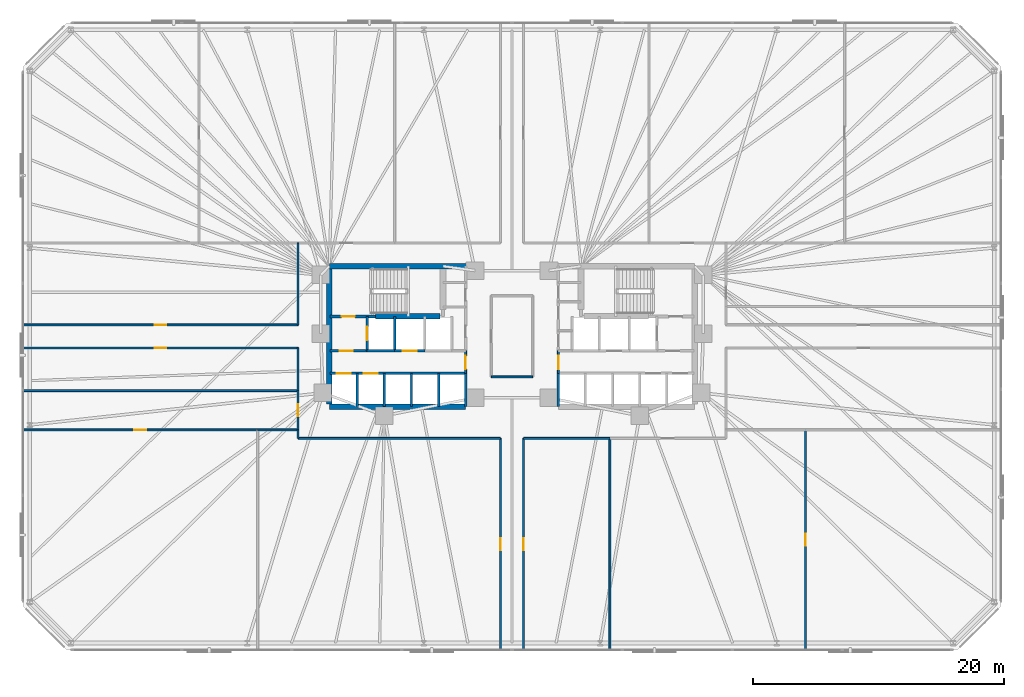
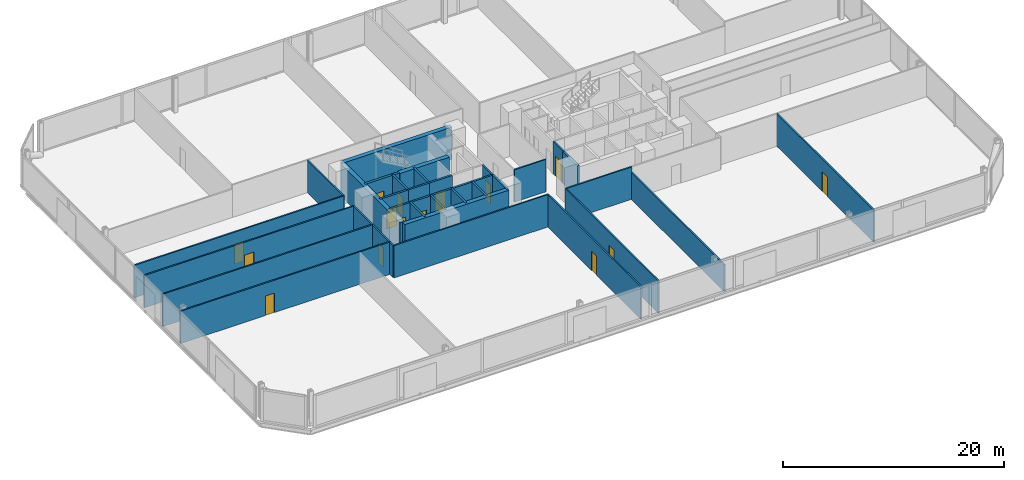
# One storey, part 12 of 17: 35 walls, 15 doors, 15 openings.
"""IFC4 building model written with IfcOpenShell, lengths in metres."""

from ifc_helpers import new_model, si_unit, direction, frame, frame_2d, origin, place, context, subcontext, project, spatial, rectangle, extrude, material, layer, layer_set, type_object, element, fill, save


model = new_model("IFC4")

# Units and contexts
model_context = context("Model", 3, precision=1e-05, world=origin(), true_north=direction((0.0, 1.0)))
body_context = subcontext(model_context, "Body", "Model", "MODEL_VIEW")
ifc_project = project(units=[si_unit("LENGTHUNIT", "METRE"), si_unit("AREAUNIT", "SQUARE_METRE"), si_unit("VOLUMEUNIT", "CUBIC_METRE"), si_unit("PLANEANGLEUNIT", "RADIAN"), si_unit("MASSUNIT", "GRAM", prefix="KILO")], contexts=[model_context])

# Site, building, storey
site_placement = place(None, origin())
site = spatial("IfcSite", under=ifc_project, at=site_placement, CompositionType="ELEMENT")
building_placement = place(site_placement, origin())
building = spatial("IfcBuilding", under=site, at=building_placement, Name="Menara Jurai Vektor", CompositionType="ELEMENT")
storey_placement = place(building_placement, frame((0.0, 0.0, 48.39990234375)))
storey = spatial("IfcBuildingStorey", under=building, at=storey_placement, Name="L11", CompositionType="ELEMENT", Elevation=48.39990234375)

# Wall, opening, door
ifc_material_1 = material(Name="Concrete C40/50", Category="concrete")
ifc_layer_1 = layer(ifc_material_1, 0.25)
ifc_layer_set_1 = layer_set([ifc_layer_1], Name="Concrete C40/50")
wall_type_1 = type_object("IfcWallType", Name="INT-WALL-CORE-250", PredefinedType="STANDARD", material=ifc_layer_set_1)
wall_1_placement = place(storey_placement, frame((-14.5, 1.60009765625, 0.0), z_axis=(0.0, 0.0, 1.0), x_axis=(1.0, 0.0, 0.0)))
wall_1 = element("IfcWall", 1, at=wall_1_placement, inside=storey, type_object=wall_type_1, Name="Interior Wall IW-250 L11", PredefinedType="STANDARD", context=body_context, shape_type="SweptSolid", body=[
    extrude(rectangle(XDim=3.60009765625, YDim=0.25, at=frame_2d((1.800048828125, 0.0))), origin(), (0.0, 0.0, 1.0), 3.5751953125),
])
opening_1_placement = place(wall_1_placement, frame((0.919921875, 0.0, 0.0)))
opening_1 = element("IfcOpeningElement", 2, at=opening_1_placement, cuts=wall_1, Name="Opening D-L11-ST1", PredefinedType="OPENING", context=body_context, shape_type="SweptSolid", body=[
    extrude(rectangle(XDim=1.050048828125, YDim=2.14990234375, at=frame_2d((0.52490234375, 1.074951171875))), frame((0.0, 0.135009765625, 0.0), z_axis=(0.0, -1.0, 0.0), x_axis=(1.0, 0.0, 0.0)), (0.0, 0.0, 1.0), 0.27001953125),
])
ifc_material_2 = material(Name="Fire-Rated Steel Door", Category="steel")
door_type_1 = type_object("IfcDoorType", Name="DR-STAIR-1050", OperationType="NOTDEFINED", PredefinedType="DOOR", material=ifc_material_2)
door_1_placement = place(opening_1_placement, origin())
door_1 = element("IfcDoor", 3, at=door_1_placement, inside=storey, type_object=door_type_1, Name="Exit Stair ST1 Door L11", OperationType="SINGLE_SWING_RIGHT", OverallHeight=2.14990234375, OverallWidth=1.050048828125, PredefinedType="DOOR", context=body_context, shape_type="SweptSolid", body=[
    extrude(rectangle(XDim=1.050048828125, YDim=2.14990234375, at=frame_2d((0.52490234375, 1.074951171875))), frame((0.0, 0.02490234375, 0.0), z_axis=(0.0, -1.0, 0.0), x_axis=(1.0, 0.0, 0.0)), (0.0, 0.0, 1.0), 0.050048828125),
])
fill(opening_1, door_1)

wall_2_placement = place(storey_placement, frame((-11.550048828125, -1.14990234375, 0.0), z_axis=(0.0, 0.0, 1.0), x_axis=(0.0, 1.0, 0.0)))
wall_2 = element("IfcWall", 4, at=wall_2_placement, inside=storey, type_object=wall_type_1, Name="Interior Wall IW-250 L11", PredefinedType="STANDARD", context=body_context, shape_type="SweptSolid", body=[
    extrude(rectangle(XDim=2.75, YDim=0.199951171875, at=frame_2d((1.375, 0.0))), origin(), (0.0, 0.0, 1.0), 3.5751953125),
])
opening_2_placement = place(wall_2_placement, frame((0.824951171875, 0.0, 0.0)))
opening_2 = element("IfcOpeningElement", 5, at=opening_2_placement, cuts=wall_2, Name="Opening LD-L11-FL1", PredefinedType="OPENING", context=body_context, shape_type="SweptSolid", body=[
    extrude(rectangle(XDim=1.10009765625, YDim=2.14990234375, at=frame_2d((0.550048828125, 1.074951171875))), frame((0.0, 0.10986328125, 0.0), z_axis=(0.0, -1.0, 0.0), x_axis=(1.0, 0.0, 0.0)), (0.0, 0.0, 1.0), 0.219970703125),
])
ifc_material_3 = material(Name="Stainless Steel Sliding Lift Landing Door", Category="steel")
door_type_2 = type_object("IfcDoorType", Name="DR-LIFT-FIRE-1100", OperationType="NOTDEFINED", PredefinedType="DOOR", material=ifc_material_3)
door_2_placement = place(opening_2_placement, origin())
door_2 = element("IfcDoor", 6, at=door_2_placement, inside=storey, type_object=door_type_2, Name="Lift Landing Door FL1 L11", OperationType="SLIDING_TO_RIGHT", OverallHeight=2.14990234375, OverallWidth=1.10009765625, PredefinedType="DOOR", context=body_context, shape_type="SweptSolid", body=[
    extrude(rectangle(XDim=1.10009765625, YDim=2.14990234375, at=frame_2d((0.550048828125, 1.074951171875))), frame((0.0, 0.02490234375, 0.0), z_axis=(0.0, -1.0, 0.0), x_axis=(1.0, 0.0, 0.0)), (0.0, 0.0, 1.0), 0.050048828125),
])
fill(opening_2, door_2)

# Wall
wall_3_placement = place(storey_placement, frame((-9.35009765625, -1.14990234375, 0.0), z_axis=(0.0, 0.0, 1.0), x_axis=(0.0, 1.0, 0.0)))
element("IfcWall", 7, at=wall_3_placement, inside=storey, type_object=wall_type_1, Name="Interior Wall IW-250 L11", PredefinedType="STANDARD", context=body_context, shape_type="SweptSolid", body=[
    extrude(rectangle(XDim=2.75, YDim=0.199951171875, at=frame_2d((1.375, 0.0))), origin(), (0.0, 0.0, 1.0), 3.5751953125),
])

# Wall, opening, door
wall_4_placement = place(storey_placement, frame((-14.5, -1.14990234375, 0.0), z_axis=(0.0, 0.0, 1.0), x_axis=(1.0, 0.0, 0.0)))
wall_4 = element("IfcWall", 8, at=wall_4_placement, inside=storey, type_object=wall_type_1, Name="Interior Wall IW-250 L11", PredefinedType="STANDARD", context=body_context, shape_type="SweptSolid", body=[
    extrude(rectangle(XDim=2.949951171875, YDim=0.199951171875, at=frame_2d((1.47509765625, 0.0))), origin(), (0.0, 0.0, 1.0), 3.5751953125),
])
opening_3_placement = place(wall_4_placement, frame((0.75, 0.0, 0.0)))
opening_3 = element("IfcOpeningElement", 9, at=opening_3_placement, cuts=wall_4, Name="Opening D-L11-FFW", PredefinedType="OPENING", context=body_context, shape_type="SweptSolid", body=[
    extrude(rectangle(XDim=1.050048828125, YDim=2.179931640625, at=frame_2d((0.52490234375, 1.08984375))), frame((0.0, 0.10986328125, 0.0), z_axis=(0.0, -1.0, 0.0), x_axis=(1.0, 0.0, 0.0)), (0.0, 0.0, 1.0), 0.219970703125),
])
ifc_material_4 = material(Name="Fire-Rated Timber Door", Category="wood")
door_type_3 = type_object("IfcDoorType", Name="DR-LOBBY-1050", OperationType="NOTDEFINED", PredefinedType="DOOR", material=ifc_material_4)
door_3_placement = place(opening_3_placement, origin())
door_3 = element("IfcDoor", 10, at=door_3_placement, inside=storey, type_object=door_type_3, Name="Fire Lift Lobby Door W L11", OperationType="SINGLE_SWING_RIGHT", OverallHeight=2.179931640625, OverallWidth=1.050048828125, PredefinedType="DOOR", context=body_context, shape_type="SweptSolid", body=[
    extrude(rectangle(XDim=1.050048828125, YDim=2.179931640625, at=frame_2d((0.52490234375, 1.08984375))), frame((0.0, 0.02490234375, 0.0), z_axis=(0.0, -1.0, 0.0), x_axis=(1.0, 0.0, 0.0)), (0.0, 0.0, 1.0), 0.050048828125),
])
fill(opening_3, door_3)

# Wall
wall_5_placement = place(storey_placement, frame((-11.550048828125, -1.14990234375, 0.0), z_axis=(0.0, 0.0, 1.0), x_axis=(1.0, 0.0, 0.0)))
element("IfcWall", 11, at=wall_5_placement, inside=storey, type_object=wall_type_1, Name="Interior Wall IW-250 L11", PredefinedType="STANDARD", context=body_context, shape_type="SweptSolid", body=[
    extrude(rectangle(XDim=2.199951171875, YDim=0.199951171875, at=frame_2d((1.10009765625, 0.0))), origin(), (0.0, 0.0, 1.0), 3.5751953125),
])

# Wall, opening, door
ifc_material_5 = material(Name="Gypsum Fireboard Partition", Category="gypsum")
ifc_layer_2 = layer(ifc_material_5, 0.14990234375)
ifc_layer_set_2 = layer_set([ifc_layer_2], Name="Gypsum Fireboard Partition")
wall_type_2 = type_object("IfcWallType", Name="INT-WALL-CORR-150", PredefinedType="PARTITIONING", material=ifc_layer_set_2)
wall_6_placement = place(storey_placement, frame((-3.699951171875, -2.949951171875, 0.0), z_axis=(0.0, 0.0, 1.0), x_axis=(0.0, 1.0, 0.0)))
wall_6 = element("IfcWall", 12, at=wall_6_placement, inside=storey, type_object=wall_type_2, Name="Interior Wall IW-150 L11", PredefinedType="PARTITIONING", context=body_context, shape_type="SweptSolid", body=[
    extrude(rectangle(XDim=1.800048828125, YDim=0.14990234375, at=frame_2d((0.89990234375, 0.0))), origin(), (0.0, 0.0, 1.0), 3.5751953125),
])
opening_4_placement = place(wall_6_placement, frame((0.35009765625, 0.0, 0.0)))
opening_4 = element("IfcOpeningElement", 13, at=opening_4_placement, cuts=wall_6, Name="Opening D-L11-LLW", PredefinedType="OPENING", context=body_context, shape_type="SweptSolid", body=[
    extrude(rectangle(XDim=1.050048828125, YDim=2.179931640625, at=frame_2d((0.52490234375, 1.08984375))), frame((0.0, 0.0849609375, 0.0), z_axis=(0.0, -1.0, 0.0), x_axis=(1.0, 0.0, 0.0)), (0.0, 0.0, 1.0), 0.169921875),
])
door_4_placement = place(opening_4_placement, origin())
door_4 = element("IfcDoor", 14, at=door_4_placement, inside=storey, type_object=door_type_3, Name="Lift Lobby Corridor Door W L11", OperationType="SINGLE_SWING_LEFT", OverallHeight=2.179931640625, OverallWidth=1.050048828125, PredefinedType="DOOR", context=body_context, shape_type="SweptSolid", body=[
    extrude(rectangle(XDim=1.050048828125, YDim=2.179931640625, at=frame_2d((0.52490234375, 1.08984375))), frame((0.0, 0.02490234375, 0.0), z_axis=(0.0, -1.0, 0.0), x_axis=(1.0, 0.0, 0.0)), (0.0, 0.0, 1.0), 0.050048828125),
])
fill(opening_4, door_4)

wall_7_placement = place(storey_placement, frame((3.699951171875, -2.949951171875, 0.0), z_axis=(0.0, 0.0, 1.0), x_axis=(0.0, 1.0, 0.0)))
wall_7 = element("IfcWall", 15, at=wall_7_placement, inside=storey, type_object=wall_type_2, Name="Interior Wall IW-150 L11", PredefinedType="PARTITIONING", context=body_context, shape_type="SweptSolid", body=[
    extrude(rectangle(XDim=1.800048828125, YDim=0.14990234375, at=frame_2d((0.89990234375, 0.0))), origin(), (0.0, 0.0, 1.0), 3.5751953125),
])
opening_5_placement = place(wall_7_placement, frame((0.35009765625, 0.0, 0.0)))
opening_5 = element("IfcOpeningElement", 16, at=opening_5_placement, cuts=wall_7, Name="Opening D-L11-LLE", PredefinedType="OPENING", context=body_context, shape_type="SweptSolid", body=[
    extrude(rectangle(XDim=1.050048828125, YDim=2.179931640625, at=frame_2d((0.52490234375, 1.08984375))), frame((0.0, 0.0849609375, 0.0), z_axis=(0.0, -1.0, 0.0), x_axis=(1.0, 0.0, 0.0)), (0.0, 0.0, 1.0), 0.169921875),
])
door_5_placement = place(opening_5_placement, frame((1.050048828125, 0.0, 0.0), z_axis=(0.0, 0.0, 1.0), x_axis=(-1.0, 0.0, 0.0)))
door_5 = element("IfcDoor", 17, at=door_5_placement, inside=storey, type_object=door_type_3, Name="Lift Lobby Corridor Door E L11", OperationType="SINGLE_SWING_RIGHT", OverallHeight=2.179931640625, OverallWidth=1.050048828125, PredefinedType="DOOR", context=body_context, shape_type="SweptSolid", body=[
    extrude(rectangle(XDim=1.050048828125, YDim=2.179931640625, at=frame_2d((0.52490234375, 1.08984375))), frame((0.0, 0.02490234375, 0.0), z_axis=(0.0, -1.0, 0.0), x_axis=(1.0, 0.0, 0.0)), (0.0, 0.0, 1.0), 0.050048828125),
])
fill(opening_5, door_5)

# Walls
wall_8_placement = place(storey_placement, frame((-1.64990234375, -3.22998046875, 0.0), z_axis=(0.0, 0.0, 1.0), x_axis=(1.0, 0.0, 0.0)))
element("IfcWall", 18, at=wall_8_placement, inside=storey, type_object=wall_type_2, Name="Interior Wall IW-150 L11", PredefinedType="PARTITIONING", context=body_context, shape_type="SweptSolid", body=[
    extrude(rectangle(XDim=3.2998046875, YDim=0.14990234375, at=frame_2d((1.64990234375, 0.0))), origin(), (0.0, 0.0, 1.0), 3.5751953125),
])
wall_9_placement = place(storey_placement, frame((-17.05908203125, -8.1298828125, 0.0), z_axis=(0.0, 0.0, 1.0), x_axis=(0.0, 1.0, 0.0)))
element("IfcWall", 19, at=wall_9_placement, inside=storey, type_object=wall_type_2, Name="Interior Wall IW-150 L11", PredefinedType="PARTITIONING", context=body_context, shape_type="SweptSolid", body=[
    extrude(rectangle(XDim=0.679931640625, YDim=0.14990234375, at=frame_2d((0.33984375, 0.0))), origin(), (0.0, 0.0, 1.0), 3.5751953125),
])
wall_10_placement = place(storey_placement, frame((-17.05908203125, -8.1298828125, 0.0), z_axis=(0.0, 0.0, 1.0), x_axis=(1.0, 0.0, 0.0)))
element("IfcWall", 20, at=wall_10_placement, inside=storey, type_object=wall_type_2, Name="Interior Wall IW-150 L11", PredefinedType="PARTITIONING", context=body_context, shape_type="SweptSolid", body=[
    extrude(rectangle(XDim=16.13916015625, YDim=0.14990234375, at=frame_2d((8.069580078125, 0.0))), origin(), (0.0, 0.0, 1.0), 3.5751953125),
])

# Wall, opening, door
wall_11_placement = place(storey_placement, frame((-0.919921875, -25.0, 0.0), z_axis=(0.0, 0.0, 1.0), x_axis=(0.0, 1.0, 0.0)))
wall_11 = element("IfcWall", 21, at=wall_11_placement, inside=storey, type_object=wall_type_2, Name="Interior Wall IW-150 L11", PredefinedType="PARTITIONING", context=body_context, shape_type="SweptSolid", body=[
    extrude(rectangle(XDim=16.8701171875, YDim=0.14990234375, at=frame_2d((8.43505859375, 0.0))), origin(), (0.0, 0.0, 1.0), 3.5751953125),
])
opening_6_placement = place(wall_11_placement, frame((7.9599609375, 0.0, 0.0)))
opening_6 = element("IfcOpeningElement", 22, at=opening_6_placement, cuts=wall_11, Name="Opening D11-11", PredefinedType="OPENING", context=body_context, shape_type="SweptSolid", body=[
    extrude(rectangle(XDim=0.949951171875, YDim=2.14990234375, at=frame_2d((0.47509765625, 1.074951171875))), frame((0.0, 0.0849609375, 0.0), z_axis=(0.0, -1.0, 0.0), x_axis=(1.0, 0.0, 0.0)), (0.0, 0.0, 1.0), 0.169921875),
])
ifc_material_6 = material(Name="Solid Core Timber Fire Door", Category="wood")
door_type_4 = type_object("IfcDoorType", Name="DR-ENTRY-950", OperationType="NOTDEFINED", PredefinedType="DOOR", material=ifc_material_6)
door_6_placement = place(opening_6_placement, origin())
door_6 = element("IfcDoor", 23, at=door_6_placement, inside=storey, type_object=door_type_4, Name="Interior Door D11-11", OperationType="SINGLE_SWING_RIGHT", OverallHeight=2.14990234375, OverallWidth=0.949951171875, PredefinedType="DOOR", context=body_context, shape_type="SweptSolid", body=[
    extrude(rectangle(XDim=0.949951171875, YDim=2.14990234375, at=frame_2d((0.47509765625, 1.074951171875))), frame((0.0, 0.02490234375, 0.0), z_axis=(0.0, -1.0, 0.0), x_axis=(1.0, 0.0, 0.0)), (0.0, 0.0, 1.0), 0.050048828125),
])
fill(opening_6, door_6)

wall_12_placement = place(storey_placement, frame((0.919921875, -25.0, 0.0), z_axis=(0.0, 0.0, 1.0), x_axis=(0.0, 1.0, 0.0)))
wall_12 = element("IfcWall", 24, at=wall_12_placement, inside=storey, type_object=wall_type_2, Name="Interior Wall IW-150 L11", PredefinedType="PARTITIONING", context=body_context, shape_type="SweptSolid", body=[
    extrude(rectangle(XDim=16.8701171875, YDim=0.14990234375, at=frame_2d((8.43505859375, 0.0))), origin(), (0.0, 0.0, 1.0), 3.5751953125),
])
opening_7_placement = place(wall_12_placement, frame((7.9599609375, 0.0, 0.0)))
opening_7 = element("IfcOpeningElement", 25, at=opening_7_placement, cuts=wall_12, Name="Opening D11-12", PredefinedType="OPENING", context=body_context, shape_type="SweptSolid", body=[
    extrude(rectangle(XDim=0.949951171875, YDim=2.14990234375, at=frame_2d((0.47509765625, 1.074951171875))), frame((0.0, 0.0849609375, 0.0), z_axis=(0.0, -1.0, 0.0), x_axis=(1.0, 0.0, 0.0)), (0.0, 0.0, 1.0), 0.169921875),
])
door_7_placement = place(opening_7_placement, origin())
door_7 = element("IfcDoor", 26, at=door_7_placement, inside=storey, type_object=door_type_4, Name="Interior Door D11-12", OperationType="SINGLE_SWING_LEFT", OverallHeight=2.14990234375, OverallWidth=0.949951171875, PredefinedType="DOOR", context=body_context, shape_type="SweptSolid", body=[
    extrude(rectangle(XDim=0.949951171875, YDim=2.14990234375, at=frame_2d((0.47509765625, 1.074951171875))), frame((0.0, 0.02490234375, 0.0), z_axis=(0.0, -1.0, 0.0), x_axis=(1.0, 0.0, 0.0)), (0.0, 0.0, 1.0), 0.050048828125),
])
fill(opening_7, door_7)

# Wall
wall_13_placement = place(storey_placement, frame((0.919921875, -8.1298828125, 0.0), z_axis=(0.0, 0.0, 1.0), x_axis=(1.0, 0.0, 0.0)))
element("IfcWall", 27, at=wall_13_placement, inside=storey, type_object=wall_type_2, Name="Interior Wall IW-150 L11", PredefinedType="PARTITIONING", context=body_context, shape_type="SweptSolid", body=[
    extrude(rectangle(XDim=6.880126953125, YDim=0.14990234375, at=frame_2d((3.43994140625, 0.0))), origin(), (0.0, 0.0, 1.0), 3.5751953125),
])

# Wall, opening, door
wall_14_placement = place(storey_placement, frame((-17.05908203125, -7.449951171875, 0.0), z_axis=(0.0, 0.0, 1.0), x_axis=(0.0, 1.0, 0.0)))
wall_14 = element("IfcWall", 28, at=wall_14_placement, inside=storey, type_object=wall_type_2, Name="Interior Wall IW-150 L11", PredefinedType="PARTITIONING", context=body_context, shape_type="SweptSolid", body=[
    extrude(rectangle(XDim=3.12890625, YDim=0.14990234375, at=frame_2d((1.564453125, 0.0))), origin(), (0.0, 0.0, 1.0), 3.5751953125),
])
opening_8_placement = place(wall_14_placement, frame((1.089599609375, 0.0, 0.0)))
opening_8 = element("IfcOpeningElement", 29, at=opening_8_placement, cuts=wall_14, Name="Opening D11-14", PredefinedType="OPENING", context=body_context, shape_type="SweptSolid", body=[
    extrude(rectangle(XDim=0.949951171875, YDim=2.14990234375, at=frame_2d((0.47509765625, 1.074951171875))), frame((0.0, 0.0849609375, 0.0), z_axis=(0.0, -1.0, 0.0), x_axis=(1.0, 0.0, 0.0)), (0.0, 0.0, 1.0), 0.169921875),
])
door_8_placement = place(opening_8_placement, origin())
door_8 = element("IfcDoor", 30, at=door_8_placement, inside=storey, type_object=door_type_4, Name="Interior Door D11-14", OperationType="SINGLE_SWING_LEFT", OverallHeight=2.14990234375, OverallWidth=0.949951171875, PredefinedType="DOOR", context=body_context, shape_type="SweptSolid", body=[
    extrude(rectangle(XDim=0.949951171875, YDim=2.14990234375, at=frame_2d((0.47509765625, 1.074951171875))), frame((0.0, 0.02490234375, 0.0), z_axis=(0.0, -1.0, 0.0), x_axis=(1.0, 0.0, 0.0)), (0.0, 0.0, 1.0), 0.050048828125),
])
fill(opening_8, door_8)

wall_15_placement = place(storey_placement, frame((-39.0, -0.919921875, 0.0), z_axis=(0.0, 0.0, 1.0), x_axis=(1.0, 0.0, 0.0)))
wall_15 = element("IfcWall", 31, at=wall_15_placement, inside=storey, type_object=wall_type_2, Name="Interior Wall IW-150 L11", PredefinedType="PARTITIONING", context=body_context, shape_type="SweptSolid", body=[
    extrude(rectangle(XDim=21.94091796875, YDim=0.14990234375, at=frame_2d((10.970458984375, 0.0))), origin(), (0.0, 0.0, 1.0), 3.5751953125),
])
opening_9_placement = place(wall_15_placement, frame((10.49560546875, 0.0, 0.0)))
opening_9 = element("IfcOpeningElement", 32, at=opening_9_placement, cuts=wall_15, Name="Opening D11-15", PredefinedType="OPENING", context=body_context, shape_type="SweptSolid", body=[
    extrude(rectangle(XDim=0.949951171875, YDim=2.14990234375, at=frame_2d((0.47509765625, 1.074951171875))), frame((0.0, 0.0849609375, 0.0), z_axis=(0.0, -1.0, 0.0), x_axis=(1.0, 0.0, 0.0)), (0.0, 0.0, 1.0), 0.169921875),
])
door_9_placement = place(opening_9_placement, origin())
door_9 = element("IfcDoor", 33, at=door_9_placement, inside=storey, type_object=door_type_4, Name="Interior Door D11-15", OperationType="SINGLE_SWING_RIGHT", OverallHeight=2.14990234375, OverallWidth=0.949951171875, PredefinedType="DOOR", context=body_context, shape_type="SweptSolid", body=[
    extrude(rectangle(XDim=0.949951171875, YDim=2.14990234375, at=frame_2d((0.47509765625, 1.074951171875))), frame((0.0, 0.02490234375, 0.0), z_axis=(0.0, -1.0, 0.0), x_axis=(1.0, 0.0, 0.0)), (0.0, 0.0, 1.0), 0.050048828125),
])
fill(opening_9, door_9)

# Wall
wall_16_placement = place(storey_placement, frame((-17.05908203125, -4.321044921875, 0.0), z_axis=(0.0, 0.0, 1.0), x_axis=(0.0, 1.0, 0.0)))
element("IfcWall", 34, at=wall_16_placement, inside=storey, type_object=wall_type_2, Name="Interior Wall IW-150 L11", PredefinedType="PARTITIONING", context=body_context, shape_type="SweptSolid", body=[
    extrude(rectangle(XDim=3.401123046875, YDim=0.14990234375, at=frame_2d((1.70068359375, 0.0))), origin(), (0.0, 0.0, 1.0), 3.5751953125),
])

# Wall, opening, door
wall_17_placement = place(storey_placement, frame((-39.0, 0.919921875, 0.0), z_axis=(0.0, 0.0, 1.0), x_axis=(1.0, 0.0, 0.0)))
wall_17 = element("IfcWall", 35, at=wall_17_placement, inside=storey, type_object=wall_type_2, Name="Interior Wall IW-150 L11", PredefinedType="PARTITIONING", context=body_context, shape_type="SweptSolid", body=[
    extrude(rectangle(XDim=21.94091796875, YDim=0.14990234375, at=frame_2d((10.970458984375, 0.0))), origin(), (0.0, 0.0, 1.0), 3.5751953125),
])
opening_10_placement = place(wall_17_placement, frame((10.49560546875, 0.0, 0.0)))
opening_10 = element("IfcOpeningElement", 36, at=opening_10_placement, cuts=wall_17, Name="Opening D11-16", PredefinedType="OPENING", context=body_context, shape_type="SweptSolid", body=[
    extrude(rectangle(XDim=0.949951171875, YDim=2.14990234375, at=frame_2d((0.47509765625, 1.074951171875))), frame((0.0, 0.0849609375, 0.0), z_axis=(0.0, -1.0, 0.0), x_axis=(1.0, 0.0, 0.0)), (0.0, 0.0, 1.0), 0.169921875),
])
door_10_placement = place(opening_10_placement, origin())
door_10 = element("IfcDoor", 37, at=door_10_placement, inside=storey, type_object=door_type_4, Name="Interior Door D11-16", OperationType="SINGLE_SWING_LEFT", OverallHeight=2.14990234375, OverallWidth=0.949951171875, PredefinedType="DOOR", context=body_context, shape_type="SweptSolid", body=[
    extrude(rectangle(XDim=0.949951171875, YDim=2.14990234375, at=frame_2d((0.47509765625, 1.074951171875))), frame((0.0, 0.02490234375, 0.0), z_axis=(0.0, -1.0, 0.0), x_axis=(1.0, 0.0, 0.0)), (0.0, 0.0, 1.0), 0.050048828125),
])
fill(opening_10, door_10)

# Wall
wall_18_placement = place(storey_placement, frame((-17.05908203125, 0.919921875, 0.0), z_axis=(0.0, 0.0, 1.0), x_axis=(0.0, 1.0, 0.0)))
element("IfcWall", 38, at=wall_18_placement, inside=storey, type_object=wall_type_2, Name="Interior Wall IW-150 L11", PredefinedType="PARTITIONING", context=body_context, shape_type="SweptSolid", body=[
    extrude(rectangle(XDim=6.530029296875, YDim=0.14990234375, at=frame_2d((3.26513671875, 0.0))), origin(), (0.0, 0.0, 1.0), 3.5751953125),
])

# Wall, opening, door
wall_19_placement = place(storey_placement, frame((-39.0, -7.449951171875, 0.0), z_axis=(0.0, 0.0, 1.0), x_axis=(1.0, 0.0, 0.0)))
wall_19 = element("IfcWall", 39, at=wall_19_placement, inside=storey, type_object=wall_type_2, Name="Interior Wall IW-150 L11", PredefinedType="PARTITIONING", context=body_context, shape_type="SweptSolid", body=[
    extrude(rectangle(XDim=18.719970703125, YDim=0.14990234375, at=frame_2d((9.35986328125, 0.0))), origin(), (0.0, 0.0, 1.0), 3.5751953125),
])
opening_11_placement = place(wall_19_placement, frame((8.885009765625, 0.0, 0.0)))
opening_11 = element("IfcOpeningElement", 40, at=opening_11_placement, cuts=wall_19, Name="Opening D11-22", PredefinedType="OPENING", context=body_context, shape_type="SweptSolid", body=[
    extrude(rectangle(XDim=0.949951171875, YDim=2.14990234375, at=frame_2d((0.47509765625, 1.074951171875))), frame((0.0, 0.0849609375, 0.0), z_axis=(0.0, -1.0, 0.0), x_axis=(1.0, 0.0, 0.0)), (0.0, 0.0, 1.0), 0.169921875),
])
door_11_placement = place(opening_11_placement, origin())
door_11 = element("IfcDoor", 41, at=door_11_placement, inside=storey, type_object=door_type_4, Name="Interior Door D11-22", OperationType="SINGLE_SWING_LEFT", OverallHeight=2.14990234375, OverallWidth=0.949951171875, PredefinedType="DOOR", context=body_context, shape_type="SweptSolid", body=[
    extrude(rectangle(XDim=0.949951171875, YDim=2.14990234375, at=frame_2d((0.47509765625, 1.074951171875))), frame((0.0, 0.02490234375, 0.0), z_axis=(0.0, -1.0, 0.0), x_axis=(1.0, 0.0, 0.0)), (0.0, 0.0, 1.0), 0.050048828125),
])
fill(opening_11, door_11)

# Wall
wall_20_placement = place(storey_placement, frame((-20.280029296875, -7.449951171875, 0.0), z_axis=(0.0, 0.0, 1.0), x_axis=(1.0, 0.0, 0.0)))
element("IfcWall", 42, at=wall_20_placement, inside=storey, type_object=wall_type_2, Name="Interior Wall IW-150 L11", PredefinedType="PARTITIONING", context=body_context, shape_type="SweptSolid", body=[
    extrude(rectangle(XDim=3.220947265625, YDim=0.14990234375, at=frame_2d((1.6103515625, 0.0))), origin(), (0.0, 0.0, 1.0), 3.5751953125),
])

# Wall, opening, door
wall_21_placement = place(storey_placement, frame((23.39990234375, -25.0, 0.0), z_axis=(0.0, 0.0, 1.0), x_axis=(0.0, 1.0, 0.0)))
wall_21 = element("IfcWall", 43, at=wall_21_placement, inside=storey, type_object=wall_type_2, Name="Interior Wall IW-150 L11", PredefinedType="PARTITIONING", context=body_context, shape_type="SweptSolid", body=[
    extrude(rectangle(XDim=17.550048828125, YDim=0.14990234375, at=frame_2d((8.77490234375, 0.0))), origin(), (0.0, 0.0, 1.0), 3.5751953125),
])
opening_12_placement = place(wall_21_placement, frame((8.300048828125, 0.0, 0.0)))
opening_12 = element("IfcOpeningElement", 44, at=opening_12_placement, cuts=wall_21, Name="Opening D11-23", PredefinedType="OPENING", context=body_context, shape_type="SweptSolid", body=[
    extrude(rectangle(XDim=0.949951171875, YDim=2.14990234375, at=frame_2d((0.47509765625, 1.074951171875))), frame((0.0, 0.0849609375, 0.0), z_axis=(0.0, -1.0, 0.0), x_axis=(1.0, 0.0, 0.0)), (0.0, 0.0, 1.0), 0.169921875),
])
door_12_placement = place(opening_12_placement, origin())
door_12 = element("IfcDoor", 45, at=door_12_placement, inside=storey, type_object=door_type_4, Name="Interior Door D11-23", OperationType="SINGLE_SWING_RIGHT", OverallHeight=2.14990234375, OverallWidth=0.949951171875, PredefinedType="DOOR", context=body_context, shape_type="SweptSolid", body=[
    extrude(rectangle(XDim=0.949951171875, YDim=2.14990234375, at=frame_2d((0.47509765625, 1.074951171875))), frame((0.0, 0.02490234375, 0.0), z_axis=(0.0, -1.0, 0.0), x_axis=(1.0, 0.0, 0.0)), (0.0, 0.0, 1.0), 0.050048828125),
])
fill(opening_12, door_12)

# Walls
wall_22_placement = place(storey_placement, frame((-39.0, -4.321044921875, 0.0), z_axis=(0.0, 0.0, 1.0), x_axis=(1.0, 0.0, 0.0)))
element("IfcWall", 46, at=wall_22_placement, inside=storey, type_object=wall_type_2, Name="Interior Wall IW-150 L11", PredefinedType="PARTITIONING", context=body_context, shape_type="SweptSolid", body=[
    extrude(rectangle(XDim=21.94091796875, YDim=0.14990234375, at=frame_2d((10.970458984375, 0.0))), origin(), (0.0, 0.0, 1.0), 3.5751953125),
])
ifc_layer_3 = layer(ifc_material_5, 0.14990234375)
ifc_layer_set_3 = layer_set([ifc_layer_3], Name="Gypsum Fireboard Partition")
wall_type_3 = type_object("IfcWallType", Name="INT-WALL-CORR-150-H2", PredefinedType="PARTITIONING", material=ifc_layer_set_3)
wall_23_placement = place(storey_placement, frame((7.800048828125, -25.0, 0.0), z_axis=(0.0, 0.0, 1.0), x_axis=(0.0, 1.0, 0.0)))
element("IfcWall", 47, at=wall_23_placement, inside=storey, type_object=wall_type_3, Name="Interior Wall IW-150 L11", PredefinedType="PARTITIONING", context=body_context, shape_type="SweptSolid", body=[
    extrude(rectangle(XDim=16.8701171875, YDim=0.14990234375, at=frame_2d((8.43505859375, 0.0))), origin(), (0.0, 0.0, 1.0), 2.97509765625),
])
ifc_layer_4 = layer(ifc_material_1, 0.199951171875)
ifc_layer_set_4 = layer_set([ifc_layer_4], Name="Concrete C40/50")
wall_type_4 = type_object("IfcWallType", Name="INT-WALL-SHAFT-200", PredefinedType="STANDARD", material=ifc_layer_set_4)
wall_24_placement = place(storey_placement, frame((-3.699951171875, -5.60009765625, 0.0), z_axis=(0.0, 0.0, 1.0), x_axis=(0.0, 1.0, 0.0)))
element("IfcWall", 48, at=wall_24_placement, inside=storey, type_object=wall_type_4, Name="Interior Wall IW-200 L11", PredefinedType="STANDARD", context=body_context, shape_type="SweptSolid", body=[
    extrude(rectangle(XDim=2.650146484375, YDim=0.199951171875, at=frame_2d((1.3251953125, 0.0))), origin(), (0.0, 0.0, 1.0), 3.5751953125),
])

# Wall, opening, door
wall_25_placement = place(storey_placement, frame((-9.35009765625, -1.14990234375, 0.0), z_axis=(0.0, 0.0, 1.0), x_axis=(1.0, 0.0, 0.0)))
wall_25 = element("IfcWall", 49, at=wall_25_placement, inside=storey, type_object=wall_type_4, Name="Interior Wall IW-200 L11", PredefinedType="STANDARD", context=body_context, shape_type="SweptSolid", body=[
    extrude(rectangle(XDim=2.400146484375, YDim=0.199951171875, at=frame_2d((1.2001953125, 0.0))), origin(), (0.0, 0.0, 1.0), 3.5751953125),
])
opening_13_placement = place(wall_25_placement, frame((0.64990234375, 0.0, 0.0)))
opening_13 = element("IfcOpeningElement", 50, at=opening_13_placement, cuts=wall_25, Name="Opening LD-L11-SVL1", PredefinedType="OPENING", context=body_context, shape_type="SweptSolid", body=[
    extrude(rectangle(XDim=1.10009765625, YDim=2.14990234375, at=frame_2d((0.550048828125, 1.074951171875))), frame((0.0, 0.10986328125, 0.0), z_axis=(0.0, -1.0, 0.0), x_axis=(1.0, 0.0, 0.0)), (0.0, 0.0, 1.0), 0.219970703125),
])
ifc_material_7 = material(Name="Anodised Stainless Sliding Lift Landing Door", Category="steel")
door_type_5 = type_object("IfcDoorType", Name="DR-LIFT-PASS-1100", OperationType="NOTDEFINED", PredefinedType="DOOR", material=ifc_material_7)
door_13_placement = place(opening_13_placement, origin())
door_13 = element("IfcDoor", 51, at=door_13_placement, inside=storey, type_object=door_type_5, Name="Lift Landing Door SVL1 L11", OperationType="SLIDING_TO_RIGHT", OverallHeight=2.14990234375, OverallWidth=1.10009765625, PredefinedType="DOOR", context=body_context, shape_type="SweptSolid", body=[
    extrude(rectangle(XDim=1.10009765625, YDim=2.14990234375, at=frame_2d((0.550048828125, 1.074951171875))), frame((0.0, 0.02490234375, 0.0), z_axis=(0.0, -1.0, 0.0), x_axis=(1.0, 0.0, 0.0)), (0.0, 0.0, 1.0), 0.050048828125),
])
fill(opening_13, door_13)

# Wall, openings, doors
wall_26_placement = place(storey_placement, frame((-14.5, -2.949951171875, 0.0), z_axis=(0.0, 0.0, 1.0), x_axis=(1.0, 0.0, 0.0)))
wall_26 = element("IfcWall", 52, at=wall_26_placement, inside=storey, type_object=wall_type_4, Name="Interior Wall IW-200 L11", PredefinedType="STANDARD", context=body_context, shape_type="SweptSolid", body=[
    extrude(rectangle(XDim=10.800048828125, YDim=0.199951171875, at=frame_2d((5.39990234375, 0.0))), origin(), (0.0, 0.0, 1.0), 3.5751953125),
])
opening_14_placement = place(wall_26_placement, frame((0.530029296875, 0.0, 0.0)))
opening_14 = element("IfcOpeningElement", 53, at=opening_14_placement, cuts=wall_26, Name="Opening LD-L11-PL1", PredefinedType="OPENING", context=body_context, shape_type="SweptSolid", body=[
    extrude(rectangle(XDim=1.10009765625, YDim=2.14990234375, at=frame_2d((0.550048828125, 1.074951171875))), frame((0.0, 0.10986328125, 0.0), z_axis=(0.0, -1.0, 0.0), x_axis=(1.0, 0.0, 0.0)), (0.0, 0.0, 1.0), 0.219970703125),
])
opening_15_placement = place(wall_26_placement, frame((2.68994140625, 0.0, 0.0)))
opening_15 = element("IfcOpeningElement", 54, at=opening_15_placement, cuts=wall_26, Name="Opening LD-L11-PL2", PredefinedType="OPENING", context=body_context, shape_type="SweptSolid", body=[
    extrude(rectangle(XDim=1.10009765625, YDim=2.14990234375, at=frame_2d((0.550048828125, 1.074951171875))), frame((0.0, 0.10986328125, 0.0), z_axis=(0.0, -1.0, 0.0), x_axis=(1.0, 0.0, 0.0)), (0.0, 0.0, 1.0), 0.219970703125),
])
door_14_placement = place(opening_14_placement, origin())
door_14 = element("IfcDoor", 55, at=door_14_placement, inside=storey, type_object=door_type_5, Name="Lift Landing Door PL1 L11", OperationType="SLIDING_TO_RIGHT", OverallHeight=2.14990234375, OverallWidth=1.10009765625, PredefinedType="DOOR", context=body_context, shape_type="SweptSolid", body=[
    extrude(rectangle(XDim=1.10009765625, YDim=2.14990234375, at=frame_2d((0.550048828125, 1.074951171875))), frame((0.0, 0.02490234375, 0.0), z_axis=(0.0, -1.0, 0.0), x_axis=(1.0, 0.0, 0.0)), (0.0, 0.0, 1.0), 0.050048828125),
])
fill(opening_14, door_14)
door_15_placement = place(opening_15_placement, origin())
door_15 = element("IfcDoor", 56, at=door_15_placement, inside=storey, type_object=door_type_5, Name="Lift Landing Door PL2 L11", OperationType="SLIDING_TO_RIGHT", OverallHeight=2.14990234375, OverallWidth=1.10009765625, PredefinedType="DOOR", context=body_context, shape_type="SweptSolid", body=[
    extrude(rectangle(XDim=1.10009765625, YDim=2.14990234375, at=frame_2d((0.550048828125, 1.074951171875))), frame((0.0, 0.02490234375, 0.0), z_axis=(0.0, -1.0, 0.0), x_axis=(1.0, 0.0, 0.0)), (0.0, 0.0, 1.0), 0.050048828125),
])
fill(opening_15, door_15)

# Walls
wall_27_placement = place(storey_placement, frame((-5.860107421875, -5.60009765625, 0.0), z_axis=(0.0, 0.0, 1.0), x_axis=(0.0, 1.0, 0.0)))
element("IfcWall", 57, at=wall_27_placement, inside=storey, type_object=wall_type_4, Name="Interior Wall IW-200 L11", PredefinedType="STANDARD", context=body_context, shape_type="SweptSolid", body=[
    extrude(rectangle(XDim=2.650146484375, YDim=0.199951171875, at=frame_2d((1.3251953125, 0.0))), origin(), (0.0, 0.0, 1.0), 3.5751953125),
])
for number, where, z_axis, x_axis, name in (
    (58, (-12.340087890625, -5.60009765625, 0.0), (0.0, 0.0, 1.0), (0.0, 1.0, 0.0), "Interior Wall IW-200 L11"),
    (59, (-10.179931640625, -5.60009765625, 0.0), (0.0, 0.0, 1.0), (0.0, 1.0, 0.0), "Interior Wall IW-200 L11"),
    (60, (-8.02001953125, -5.60009765625, 0.0), (0.0, 0.0, 1.0), (0.0, 1.0, 0.0), "Interior Wall IW-200 L11"),
):
    element("IfcWall", number, at=place(storey_placement, frame(where, z_axis=z_axis, x_axis=x_axis)), inside=storey, type_object=wall_type_4, Name=name, PredefinedType="STANDARD", context=body_context, shape_type="SweptSolid", body=[
        extrude(rectangle(XDim=2.650146484375, YDim=0.179931640625, at=frame_2d((1.3251953125, 0.0))), origin(), (0.0, 0.0, 1.0), 3.5751953125),
    ])
wall_28_placement = place(storey_placement, frame((3.699951171875, -5.60009765625, 0.0), z_axis=(0.0, 0.0, 1.0), x_axis=(0.0, 1.0, 0.0)))
element("IfcWall", 61, at=wall_28_placement, inside=storey, type_object=wall_type_4, Name="Interior Wall IW-200 L11", PredefinedType="STANDARD", context=body_context, shape_type="SweptSolid", body=[
    extrude(rectangle(XDim=2.650146484375, YDim=0.199951171875, at=frame_2d((1.3251953125, 0.0))), origin(), (0.0, 0.0, 1.0), 3.5751953125),
])
ifc_material_8 = material(Name="Concrete C60/75", Category="concrete")
ifc_layer_5 = layer(ifc_material_8, 0.449951171875)
ifc_layer_set_5 = layer_set([ifc_layer_5], Name="Concrete C60/75")
wall_type_5 = type_object("IfcWallType", Name="STR-WALL-CORE450", PredefinedType="SHEAR", material=ifc_layer_set_5)
wall_29_placement = place(storey_placement, frame((-14.56005859375, 5.60009765625, 0.0), z_axis=(0.0, 0.0, 1.0), x_axis=(1.0, 0.0, 0.0)))
element("IfcWall", 62, at=wall_29_placement, inside=storey, type_object=wall_type_5, Name="Core Shear Wall CW-W-N L11", PredefinedType="SHEAR", context=body_context, shape_type="SweptSolid", body=[
    extrude(rectangle(XDim=11.41015625, YDim=0.449951171875, at=frame_2d((5.705078125, 0.0))), origin(), (0.0, 0.0, 1.0), 3.5751953125),
])
wall_30_placement = place(storey_placement, frame((-14.56005859375, -5.60009765625, 0.0), z_axis=(0.0, 0.0, 1.0), x_axis=(1.0, 0.0, 0.0)))
element("IfcWall", 63, at=wall_30_placement, inside=storey, type_object=wall_type_5, Name="Core Shear Wall CW-W-S L11", PredefinedType="SHEAR", context=body_context, shape_type="SweptSolid", body=[
    extrude(rectangle(XDim=10.860107421875, YDim=0.449951171875, at=frame_2d((5.43017578125, 0.0))), origin(), (0.0, 0.0, 1.0), 3.5751953125),
])
wall_31_placement = place(storey_placement, frame((-14.56005859375, -5.375, 0.0), z_axis=(0.0, 0.0, 1.0), x_axis=(0.0, 1.0, 0.0)))
element("IfcWall", 64, at=wall_31_placement, inside=storey, type_object=wall_type_5, Name="Core Shear Wall CW-W-W L11", PredefinedType="SHEAR", context=body_context, shape_type="SweptSolid", body=[
    extrude(rectangle(XDim=10.75, YDim=0.449951171875, at=frame_2d((5.375, 0.0))), origin(), (0.0, 0.0, 1.0), 3.5751953125),
])
wall_32_placement = place(storey_placement, frame((-10.89990234375, 1.60009765625, 0.0), z_axis=(0.0, 0.0, 1.0), x_axis=(1.0, 0.0, 0.0)))
element("IfcWall", 65, at=wall_32_placement, inside=storey, type_object=wall_type_5, Name="Core Shear Wall CW-W-STS L11", PredefinedType="SHEAR", context=body_context, shape_type="SweptSolid", body=[
    extrude(rectangle(XDim=5.14990234375, YDim=0.449951171875, at=frame_2d((2.574951171875, 0.0))), origin(), (0.0, 0.0, 1.0), 3.5751953125),
])

save(model, "model.ifc")
